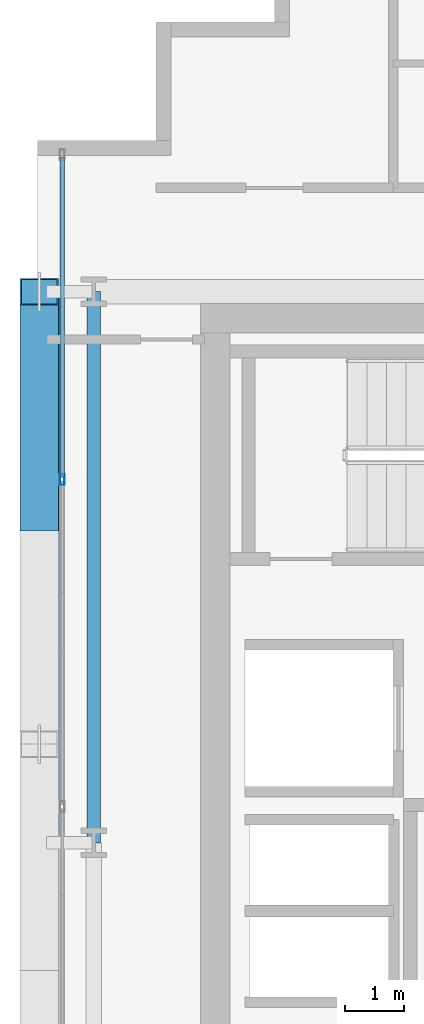
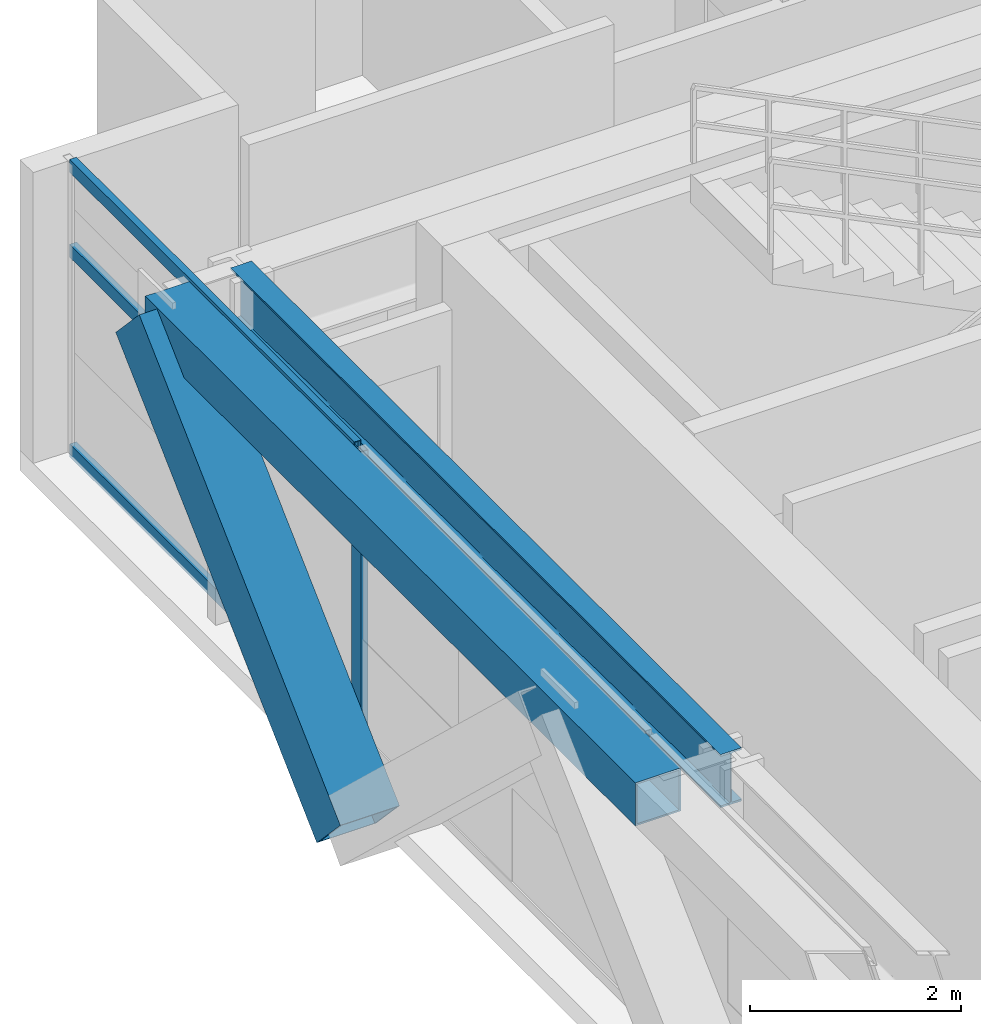
# One storey, part 8 of 32: 5 members, 2 beams, 1 element without a shape of its own.
"""IFC4 building model written with IfcOpenShell, lengths in metres."""

from ifc_helpers import new_model, si_unit, direction, frame, origin, origin_2d, place, context, subcontext, project, spatial, hollow_rectangle, i_section, extrude, source, transform, mapped, material, layer, layer_set, material_profile, profile_set, type_object, element, aggregate, save


model = new_model("IFC4")

# Units and contexts
model_context = context("Model", 3, precision=1e-05, world=origin(), true_north=direction((0.0, 1.0)))
body_context = subcontext(model_context, "Body", "Model", "MODEL_VIEW")
ifc_project = project(units=[si_unit("LENGTHUNIT", "METRE"), si_unit("AREAUNIT", "SQUARE_METRE"), si_unit("VOLUMEUNIT", "CUBIC_METRE"), si_unit("PLANEANGLEUNIT", "RADIAN"), si_unit("MASSUNIT", "GRAM", prefix="KILO")], contexts=[model_context])

# Site, building, storey
site_placement = place(None, origin())
site = spatial("IfcSite", under=ifc_project, at=site_placement, CompositionType="ELEMENT")
building_placement = place(site_placement, origin())
building = spatial("IfcBuilding", under=site, at=building_placement, Name="Ocotamira Hotel", CompositionType="ELEMENT")
storey_placement = place(building_placement, frame((0.0, 0.0, 177.60009765625)))
storey = spatial("IfcBuildingStorey", under=building, at=storey_placement, Name="L44", CompositionType="ELEMENT", Elevation=177.60009765625)

# Beams
ifc_material_1 = material(Name="Steel ASTM A992 Grade 50", Category="steel")
ifc_material_profile_1 = material_profile(ifc_material_1, i_section(OverallWidth=0.22998046875, OverallDepth=0.616943359375, WebThickness=0.01318359375, FlangeThickness=0.022216796875, FilletRadius=0.012939453125, at=origin_2d()), Name="W24X94")
ifc_profile_set_1 = profile_set([ifc_material_profile_1], Name="Steel ASTM A992 Grade 50")
beam_type_1 = type_object("IfcBeamType", Name="BM-PRIM-W24X94", PredefinedType="BEAM", material=ifc_profile_set_1)
shared_shape_1 = source(origin(), body_context, "Body", "SweptSolid", [
    extrude(i_section(OverallWidth=0.22998046875, OverallDepth=0.616943359375, WebThickness=0.01318359375, FlangeThickness=0.022216796875, FilletRadius=0.012939453125, at=origin_2d()), origin(), (0.0, 0.0, 1.0), 9.300048828125),
])
beam_1_placement = place(storey_placement, frame((8.949951171875, 28.14990234375, 3.0615234375), z_axis=(0.0, 1.0, 0.0), x_axis=(-1.0, 0.0, 0.0)))
element("IfcBeam", 1, at=beam_1_placement, inside=storey, type_object=beam_type_1, Name="L44 Beam X8.95 Y28.15-37.45", PredefinedType="BEAM", context=body_context, shape_type="MappedRepresentation", body=[
    mapped(shared_shape_1, transform((0.0, 0.0, 0.0), scale=1.0)),
])
ifc_material_2 = material(Name="Steel ASTM A500 Grade C", Category="steel")
ifc_material_profile_2 = material_profile(ifc_material_2, hollow_rectangle(XDim=0.5, YDim=0.5, WallThickness=0.02001953125, at=origin_2d()), Name="HSS500X500X20")
ifc_profile_set_2 = profile_set([ifc_material_profile_2], Name="Steel ASTM A500 Grade C")
beam_type_2 = type_object("IfcBeamType", Name="BM-SPAN-HSS500", PredefinedType="USERDEFINED", material=ifc_profile_set_2)
shared_shape_2 = source(origin(), body_context, "Body", "SweptSolid", [
    extrude(hollow_rectangle(XDim=0.5, YDim=0.5, WallThickness=0.02001953125, at=origin_2d()), origin(), (0.0, 0.0, 1.0), 9.300048828125),
])
beam_2_placement = place(storey_placement, frame((8.14990234375, 28.14990234375, 3.119873046875), z_axis=(0.0, 1.0, 0.0), x_axis=(-1.0, 0.0, 0.0)))
element("IfcBeam", 2, at=beam_2_placement, inside=storey, type_object=beam_type_2, Name="L44 Edge Spandrel W Y28.15-37.45", ObjectType="SPANDREL", PredefinedType="USERDEFINED", context=body_context, shape_type="MappedRepresentation", body=[
    mapped(shared_shape_2, transform((0.0, 0.0, 0.0), scale=1.0)),
])

# Member
ifc_material_3 = material(Name="Pale-metal coated steel ASTM A913 Grade 65", Category="steel")
ifc_material_profile_3 = material_profile(ifc_material_3, hollow_rectangle(XDim=0.64990234375, YDim=0.64990234375, WallThickness=0.02197265625, at=origin_2d()), Name="BOX650X650X22")
ifc_profile_set_3 = profile_set([ifc_material_profile_3], Name="Pale-metal coated steel ASTM A913 Grade 65")
member_type_1 = type_object("IfcMemberType", Name="MEM-EXO-BOX650", PredefinedType="BRACE", material=ifc_profile_set_3)
shared_shape_3 = source(origin(), body_context, "Body", "SweptSolid", [
    extrude(hollow_rectangle(XDim=0.64990234375, YDim=0.64990234375, WallThickness=0.02197265625, at=origin_2d()), origin(), (0.0, 0.0, 1.0), 5.24658203125),
])
member_1_placement = place(storey_placement, frame((8.030029296875, 33.63330078125, -0.47998046875), z_axis=(0.0, 0.72746596067, 0.686143772154), x_axis=(-1.0, 0.0, 0.0)))
element("IfcMember", 3, at=member_1_placement, inside=storey, type_object=member_type_1, Name="L44 Exoskeleton Diagrid W2.2", PredefinedType="BRACE", context=body_context, shape_type="MappedRepresentation", body=[
    mapped(shared_shape_3, transform((0.0, 0.0, 0.0), scale=1.0)),
])

# Curtain wall, members
ifc_material_4 = material(Name="Anodised pale-metal aluminium and solar glass", Category="aluminium")
ifc_layer = layer(ifc_material_4, 0.199951171875)
ifc_layer_set = layer_set([ifc_layer], Name="Anodised pale-metal aluminium and solar glass")
curtain_wall_type = type_object("IfcCurtainWallType", Name="CW-SYS4-Z3", PredefinedType="NOTDEFINED", material=ifc_layer_set)
curtain_wall_placement = place(storey_placement, origin())
curtain_wall = element("IfcCurtainWall", 4, at=curtain_wall_placement, inside=storey, type_object=curtain_wall_type, Name="L44 Curtain Wall CW-4 CW-L44-W", PredefinedType="NOTDEFINED")
ifc_material_5 = material(Name="Anodised pale-metal aluminium 6063-T6", Category="aluminium")
ifc_material_profile_4 = material_profile(ifc_material_5, hollow_rectangle(XDim=0.074951171875, YDim=0.14990234375, WallThickness=0.006103515625, at=origin_2d()), Name="HSS150X75X6")
ifc_profile_set_4 = profile_set([ifc_material_profile_4], Name="Anodised pale-metal aluminium 6063-T6")
member_type_2 = type_object("IfcMemberType", Name="CWT-150X75", PredefinedType="USERDEFINED", material=ifc_profile_set_4)
shared_shape_4 = source(origin(), body_context, "Body", "SweptSolid", [
    extrude(hollow_rectangle(XDim=0.074951171875, YDim=0.14990234375, WallThickness=0.006103515625, at=origin_2d()), origin(), (0.0, 0.0, 1.0), 5.39990234375),
])
member_2_placement = place(storey_placement, frame((8.419921875, 34.320068359375, 0.037353515625), z_axis=(0.0, 1.0, 0.0), x_axis=(-1.0, 0.0, 0.0)))
member_2 = element("IfcMember", 5, at=member_2_placement, type_object=member_type_2, Name="CW-4 transom 5.1", ObjectType="TRANSOM", PredefinedType="USERDEFINED", context=body_context, shape_type="MappedRepresentation", body=[
    mapped(shared_shape_4, transform((0.0, 0.0, 0.0), scale=1.0)),
])
member_3_placement = place(storey_placement, frame((8.419921875, 34.320068359375, 2.349853515625), z_axis=(0.0, 1.0, 0.0), x_axis=(-1.0, 0.0, 0.0)))
member_3 = element("IfcMember", 6, at=member_3_placement, type_object=member_type_2, Name="CW-4 transom 5.2", ObjectType="TRANSOM", PredefinedType="USERDEFINED", context=body_context, shape_type="MappedRepresentation", body=[
    mapped(shared_shape_4, transform((0.0, 0.0, 0.0), scale=1.0)),
])
member_4_placement = place(storey_placement, frame((8.419921875, 34.320068359375, 3.33251953125), z_axis=(0.0, 1.0, 0.0), x_axis=(-1.0, 0.0, 0.0)))
member_4 = element("IfcMember", 7, at=member_4_placement, type_object=member_type_2, Name="CW-4 transom 5.3", ObjectType="TRANSOM", PredefinedType="USERDEFINED", context=body_context, shape_type="MappedRepresentation", body=[
    mapped(shared_shape_4, transform((0.0, 0.0, 0.0), scale=1.0)),
])
ifc_material_profile_5 = material_profile(ifc_material_5, hollow_rectangle(XDim=0.080078125, YDim=0.179931640625, WallThickness=0.006103515625, at=origin_2d()), Name="HSS180X80X6")
ifc_profile_set_5 = profile_set([ifc_material_profile_5], Name="Anodised pale-metal aluminium 6063-T6")
member_type_3 = type_object("IfcMemberType", Name="CWM-180X75", PredefinedType="MULLION", material=ifc_profile_set_5)
shared_shape_5 = source(origin(), body_context, "Body", "SweptSolid", [
    extrude(hollow_rectangle(XDim=0.080078125, YDim=0.179931640625, WallThickness=0.006103515625, at=origin_2d()), origin(), (0.0, 0.0, 1.0), 3.369873046875),
])
member_5_placement = place(storey_placement, frame((8.419921875, 34.280029296875, 0.0), z_axis=(0.0, 0.0, 1.0), x_axis=(-1.0, 0.0, 0.0)))
member_5 = element("IfcMember", 8, at=member_5_placement, type_object=member_type_3, Name="CW-4 mullion 5", PredefinedType="MULLION", context=body_context, shape_type="MappedRepresentation", body=[
    mapped(shared_shape_5, transform((0.0, 0.0, 0.0), scale=1.0)),
])
aggregate(curtain_wall, [member_5, member_2, member_3, member_4])

save(model, "model.ifc")
